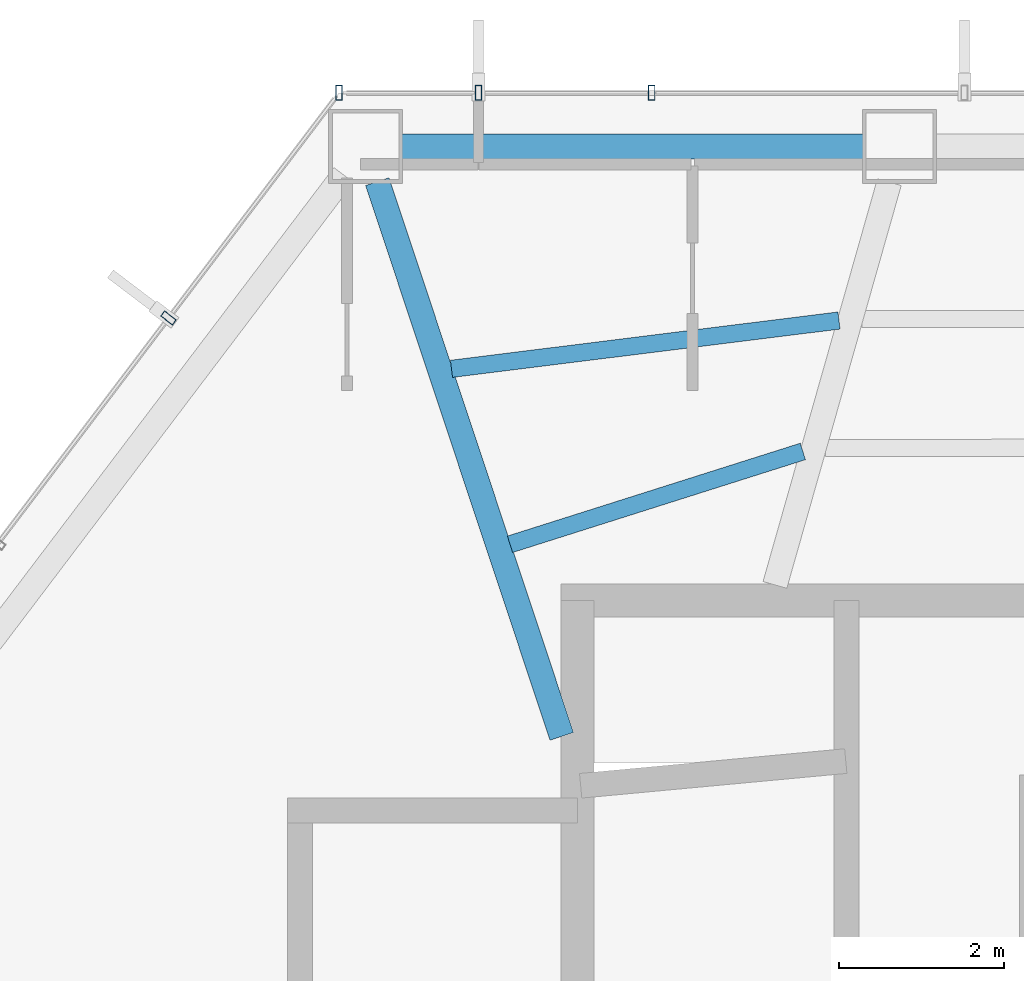
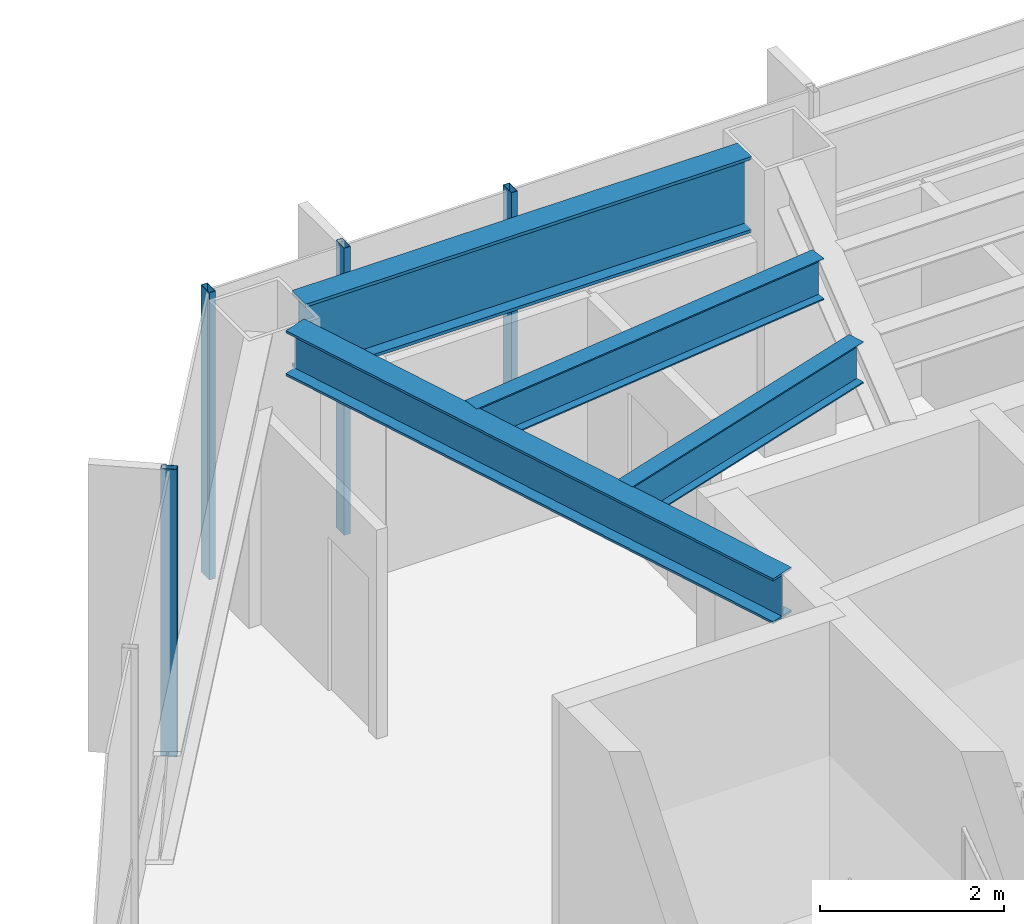
# One storey, part 11 of 25: 4 beams, 4 members, 2 elements without a shape of their own.
"""IFC4 building model written with IfcOpenShell, lengths in metres."""

import ifcopenshell
import ifcopenshell.guid

model = None  # the IFC model being written
_history = None  # IfcOwnerHistory: only IFC2X3 demands one
_inside = {}  # id of a spatial element -> (the spatial element, [elements in it])
_under = {}  # id of a project, library or spatial element -> (it, [spatial elements below it])
_declared = {}  # id of a project -> (the project, [libraries it declares])
_typed = {}  # id of a type object -> (the type object, [elements of that type])
_made_of = {}  # id of a material, layer set ... -> (it, [elements and type objects made of it])


def new_model(schema):
    """Start an empty IFC model of exactly this schema.

    Asked for "IFC4X3", IfcOpenShell would pick the latest addendum, in which some entities
    have other attributes; the version numbers below select the first issue.
    IFC2X3 requires an IfcOwnerHistory on every rooted entity: one is made here for all.
    """
    global model, _history
    if schema == "IFC4X3":
        model = ifcopenshell.file(schema_version=(4, 3, 0, 0))
    else:
        model = ifcopenshell.file(schema=schema)
    _inside.clear()
    _under.clear()
    _declared.clear()
    _typed.clear()
    _made_of.clear()
    _history = None
    if model.schema == "IFC2X3":
        org = make("IfcOrganization", Name="unknown")
        user = make(
            "IfcPersonAndOrganization",
            ThePerson=make("IfcPerson", FamilyName="unknown"),
            TheOrganization=org,
        )
        app = make(
            "IfcApplication",
            ApplicationDeveloper=org,
            Version="unknown",
            ApplicationFullName="unknown",
            ApplicationIdentifier="unknown",
        )
        _history = make(
            "IfcOwnerHistory",
            OwningUser=user,
            OwningApplication=app,
            ChangeAction="ADDED",
            CreationDate=0,
        )
    return model


def make(cls, **values):
    """One entity of the class cls with the attributes given. An attribute that is None is left unset."""
    return model.create_entity(
        cls, **{name: value for name, value in values.items() if value is not None}
    )


def rooted(cls, **values):
    """An entity with a GlobalId (a new one), such as an element, a storey or a relation."""
    return make(cls, GlobalId=ifcopenshell.guid.new(), OwnerHistory=_history, **values)


def si_unit(unit_type, name, prefix=None):
    """IfcSIUnit, for example si_unit("LENGTHUNIT", "METRE", prefix="MILLI")."""
    return make("IfcSIUnit", UnitType=unit_type, Prefix=prefix, Name=name)


def assignment(units):
    """IfcUnitAssignment: the units of a project."""
    return None if units is None else make("IfcUnitAssignment", Units=units)


def point(xyz):
    """IfcCartesianPoint."""
    return None if xyz is None else make("IfcCartesianPoint", Coordinates=xyz)


def direction(xyz):
    """IfcDirection."""
    return None if xyz is None else make("IfcDirection", DirectionRatios=xyz)


def frame(location, z_axis=None, x_axis=None):
    """IfcAxis2Placement3D, a coordinate frame: its origin and axes. An axis left out is left unset."""
    return make(
        "IfcAxis2Placement3D",
        Location=point(location),
        Axis=direction(z_axis),
        RefDirection=direction(x_axis),
    )


def frame_2d(location, x_axis=None):
    """IfcAxis2Placement2D, a coordinate frame in the plane: its origin and x axis."""
    return make(
        "IfcAxis2Placement2D", Location=point(location), RefDirection=direction(x_axis)
    )


def origin():
    """The frame at (0, 0, 0) with its axes left unset."""
    return frame((0.0, 0.0, 0.0))


def origin_2d():
    """The frame at (0, 0) in the plane with its x axis left unset."""
    return frame_2d((0.0, 0.0))


def place(relative_to, where):
    """IfcLocalPlacement: puts the frame where relative to a parent placement (None: the world)."""
    return make(
        "IfcLocalPlacement", PlacementRelTo=relative_to, RelativePlacement=where
    )


def context(
    kind, dimensions, precision=None, world=None, true_north=None, identifier=None
):
    """IfcGeometricRepresentationContext, for example the 3D "Model" context."""
    return make(
        "IfcGeometricRepresentationContext",
        ContextIdentifier=identifier,
        ContextType=kind,
        CoordinateSpaceDimension=dimensions,
        Precision=precision,
        WorldCoordinateSystem=world,
        TrueNorth=true_north,
    )


def subcontext(parent, identifier, kind, view, scale=None):
    """IfcGeometricRepresentationSubContext, for example "Body" below "Model"."""
    return make(
        "IfcGeometricRepresentationSubContext",
        ContextIdentifier=identifier,
        ContextType=kind,
        ParentContext=parent,
        TargetScale=scale,
        TargetView=view,
    )


def project(units=None, contexts=None):
    """IfcProject with its units and contexts."""
    return rooted(
        "IfcProject",
        Name="project",
        RepresentationContexts=contexts,
        UnitsInContext=assignment(units),
    )


def spatial(cls, under=None, at=None, **own):
    """A site, building, storey or space (cls), placed at a placement, below another one or the project."""
    s = rooted(cls, ObjectPlacement=at, **own)
    if under is not None:
        _under.setdefault(under.id(), (under, []))[1].append(s)
    return s


def profile(cls, at=None, kind="AREA", **sizes):
    """A parametric profile (cls). Its sizes go by their IFC names, for example OverallWidth=200.0."""
    return make(cls, ProfileType=kind, Position=at, **sizes)


def hollow_rectangle(**sizes):
    """IfcRectangleHollowProfileDef."""
    return profile("IfcRectangleHollowProfileDef", **sizes)


def i_section(**sizes):
    """IfcIShapeProfileDef."""
    return profile("IfcIShapeProfileDef", **sizes)


def extrude(swept, where, along, depth):
    """IfcExtrudedAreaSolid: the profile swept, set in the frame where, extruded along a direction by depth."""
    return make(
        "IfcExtrudedAreaSolid",
        SweptArea=swept,
        Position=where,
        ExtrudedDirection=direction(along),
        Depth=depth,
    )


def shape(context_of_items, identifier, shape_type, items):
    """IfcShapeRepresentation: the items that make up one representation, for example the "Body"."""
    return make(
        "IfcShapeRepresentation",
        ContextOfItems=context_of_items,
        RepresentationIdentifier=identifier,
        RepresentationType=shape_type,
        Items=items,
    )


def material(Name=None, Category=None):
    """IfcMaterial."""
    return make("IfcMaterial", Name=Name, Category=Category)


def layer(
    of_material, thickness, ventilated=None, Name=None, Category=None, Priority=None
):
    """IfcMaterialLayer: one layer of a wall or slab, of a material (None: an air gap)."""
    return make(
        "IfcMaterialLayer",
        Material=of_material,
        LayerThickness=thickness,
        IsVentilated=ventilated,
        Name=Name,
        Category=Category,
        Priority=Priority,
    )


def layer_set(layers, Name=None):
    """IfcMaterialLayerSet."""
    return make("IfcMaterialLayerSet", MaterialLayers=layers, LayerSetName=Name)


def material_profile(
    of_material, cross_section, Name=None, Category=None, Priority=None
):
    """IfcMaterialProfile: a cross section and its material."""
    return make(
        "IfcMaterialProfile",
        Name=Name,
        Material=of_material,
        Profile=cross_section,
        Priority=Priority,
        Category=Category,
    )


def profile_set(profiles, Name=None, composite=None):
    """IfcMaterialProfileSet."""
    return make(
        "IfcMaterialProfileSet",
        Name=Name,
        MaterialProfiles=profiles,
        CompositeProfile=composite,
    )


def made_of(thing, what):
    """Note that an element or type object is made of a material, layer set ...; save() writes the relation."""
    if what is not None:
        _made_of.setdefault(what.id(), (what, []))[1].append(thing)
    return thing


def type_object(cls, material=None, **own):
    """A type object (cls), such as IfcWallType, which elements share."""
    return made_of(rooted(cls, **own), material)


def element(
    cls,
    number,
    at=None,
    inside=None,
    cuts=None,
    type_object=None,
    material=None,
    context=None,
    identifier="Body",
    shape_type=None,
    held_by="IfcProductDefinitionShape",
    body=None,
    shapes=None,
    **own,
):
    """One element of the class cls, such as IfcWall. Its Tag is "e" and its number.

    at: its placement. inside: the storey or other place that contains it. cuts: it is an
    opening in that element (IfcRelVoidsElement). A single representation is given by context,
    identifier, shape_type and body (its items); several are given by shapes. held_by: the class
    of the entity that holds the representations. save() writes the other relations.
    """
    e = rooted(cls, Tag="e%d" % number, ObjectPlacement=at, **own)
    if body is not None:
        shapes = [shape(context, identifier, shape_type, body)]
    if shapes is not None:
        e.Representation = make(held_by, Representations=shapes)
    if inside is not None:
        _inside.setdefault(inside.id(), (inside, []))[1].append(e)
    if cuts is not None:
        rooted(
            "IfcRelVoidsElement", RelatingBuildingElement=cuts, RelatedOpeningElement=e
        )
    if type_object is not None:
        _typed.setdefault(type_object.id(), (type_object, []))[1].append(e)
    return made_of(e, material)


def aggregate(whole, parts):
    """IfcRelAggregates: a whole, such as a stair, and the parts it consists of."""
    return rooted("IfcRelAggregates", RelatingObject=whole, RelatedObjects=parts)


def save(model, path):
    """Write the relations noted so far, then the file.

    IfcRelAggregates (storeys below a building ...), IfcRelContainedInSpatialStructure (elements
    in a storey), IfcRelDefinesByType, IfcRelAssociatesMaterial and IfcRelDeclares: one each for
    every whole, place, type object, material and project.
    """
    for whole, parts in _under.values():
        aggregate(whole, parts)
    for where, things in _inside.values():
        rooted(
            "IfcRelContainedInSpatialStructure",
            RelatedElements=things,
            RelatingStructure=where,
        )
    for kind, things in _typed.values():
        rooted("IfcRelDefinesByType", RelatedObjects=things, RelatingType=kind)
    for what, things in _made_of.values():
        rooted("IfcRelAssociatesMaterial", RelatedObjects=things, RelatingMaterial=what)
    for by, libraries in _declared.values():
        rooted("IfcRelDeclares", RelatingContext=by, RelatedDefinitions=libraries)
    model.write(path)


model = new_model("IFC4")

# Units and contexts
model_context = context("Model", 3, precision=1e-05, world=origin(), true_north=direction((0.0, 1.0)))
body_context = subcontext(model_context, "Body", "Model", "MODEL_VIEW")
ifc_project = project(units=[si_unit("LENGTHUNIT", "METRE"), si_unit("AREAUNIT", "SQUARE_METRE"), si_unit("VOLUMEUNIT", "CUBIC_METRE"), si_unit("PLANEANGLEUNIT", "RADIAN"), si_unit("MASSUNIT", "GRAM", prefix="KILO")], contexts=[model_context])

# Site, building, storey
site_placement = place(None, origin())
site = spatial("IfcSite", under=ifc_project, at=site_placement, CompositionType="ELEMENT")
building_placement = place(site_placement, origin())
building = spatial("IfcBuilding", under=site, at=building_placement, Name="Zarrinselat Tower", CompositionType="ELEMENT")
storey_placement = place(building_placement, frame((0.0, 0.0, 84.659912109375)))
storey = spatial("IfcBuildingStorey", under=building, at=storey_placement, Name="L20", CompositionType="ELEMENT", Elevation=84.659912109375)

# Beams
ifc_material_1 = material(Name="Steel S355J2", Category="steel")
ifc_material_profile_1 = material_profile(ifc_material_1, i_section(OverallWidth=0.300048828125, OverallDepth=0.60009765625, WebThickness=0.015380859375, FlangeThickness=0.030029296875, at=origin_2d()), Name="HEB 600")
ifc_profile_set_1 = profile_set([ifc_material_profile_1], Name="Steel S355J2")
beam_type_1 = type_object("IfcBeamType", Name="BM-HEB600", PredefinedType="BEAM", material=ifc_profile_set_1)
beam_1_placement = place(storey_placement, frame((26.170166015625, 48.537841796875, 3.52001953125), z_axis=(0.315443690727, -0.948944296564, 0.0), x_axis=(0.948944296564, 0.315443690727, 0.0)))
element("IfcBeam", 1, at=beam_1_placement, inside=storey, type_object=beam_type_1, Name="L20 Radial Primary Girder RG05", PredefinedType="BEAM", context=body_context, shape_type="SweptSolid", body=[
    extrude(i_section(OverallWidth=0.300048828125, OverallDepth=0.60009765625, WebThickness=0.015380859375, FlangeThickness=0.030029296875, at=origin_2d()), origin(), (0.0, 0.0, 1.0), 7.100341796875),
])
ifc_material_2 = material(Name="Steel S460M", Category="steel")
ifc_material_profile_2 = material_profile(ifc_material_2, i_section(OverallWidth=0.302001953125, OverallDepth=1.008056640625, WebThickness=0.02099609375, FlangeThickness=0.0400390625, at=origin_2d()), Name="HEM 1000")
ifc_profile_set_2 = profile_set([ifc_material_profile_2], Name="Steel S460M")
beam_type_2 = type_object("IfcBeamType", Name="BM-HEM1000", PredefinedType="BEAM", material=ifc_profile_set_2)
beam_2_placement = place(storey_placement, frame((26.465576171875, 48.966796875, 3.316162109375), z_axis=(1.0, 0.0, 0.0), x_axis=(0.0, 1.0, 0.0)))
element("IfcBeam", 2, at=beam_2_placement, inside=storey, type_object=beam_type_2, Name="L20 Perimeter Spandrel Girder SP04", PredefinedType="BEAM", context=body_context, shape_type="SweptSolid", body=[
    extrude(i_section(OverallWidth=0.302001953125, OverallDepth=1.008056640625, WebThickness=0.02099609375, FlangeThickness=0.0400390625, at=origin_2d()), origin(), (0.0, 0.0, 1.0), 5.609130859375),
])
ifc_material_3 = material(Name="Steel S355J2", Category="steel")
ifc_material_profile_3 = material_profile(ifc_material_3, i_section(OverallWidth=0.2099609375, OverallDepth=0.550048828125, WebThickness=0.010986328125, FlangeThickness=0.01708984375, at=origin_2d()), Name="IPE 550")
ifc_profile_set_3 = profile_set([ifc_material_profile_3], Name="Steel S355J2")
beam_type_3 = type_object("IfcBeamType", Name="BM-IPE550", PredefinedType="JOIST", material=ifc_profile_set_3)
beam_3_placement = place(storey_placement, frame((27.070556640625, 46.264404296875, 3.545166015625), z_axis=(0.992316625644, 0.12372434874, 0.0), x_axis=(-0.12372434874, 0.992316625644, 0.0)))
element("IfcBeam", 3, at=beam_3_placement, inside=storey, type_object=beam_type_3, Name="L20 Composite Floor Joist 9-1", PredefinedType="JOIST", context=body_context, shape_type="SweptSolid", body=[
    extrude(i_section(OverallWidth=0.2099609375, OverallDepth=0.550048828125, WebThickness=0.010986328125, FlangeThickness=0.01708984375, at=origin_2d()), origin(), (0.0, 0.0, 1.0), 4.74365234375),
])
beam_4_placement = place(storey_placement, frame((27.781982421875, 44.13330078125, 3.545166015625), z_axis=(0.953238913259, 0.30221775965, 0.0), x_axis=(-0.30221775965, 0.953238913259, 0.0)))
element("IfcBeam", 4, at=beam_4_placement, inside=storey, type_object=beam_type_3, Name="L20 Composite Floor Joist 9-2", PredefinedType="JOIST", context=body_context, shape_type="SweptSolid", body=[
    extrude(i_section(OverallWidth=0.2099609375, OverallDepth=0.550048828125, WebThickness=0.010986328125, FlangeThickness=0.01708984375, at=origin_2d()), origin(), (0.0, 0.0, 1.0), 3.7314453125),
])

# Curtain wall, members
ifc_material_4 = material(Name="Extruded Aluminium Alloy EN AW-6063 T6", Category="aluminium")
ifc_layer = layer(ifc_material_4, 0.18505859375)
ifc_layer_set = layer_set([ifc_layer], Name="Extruded Aluminium Alloy EN AW-6063 T6")
curtain_wall_type = type_object("IfcCurtainWallType", Name="CWS-OFF", PredefinedType="NOTDEFINED", material=ifc_layer_set)
curtain_wall_1_placement = place(storey_placement, origin())
curtain_wall_1 = element("IfcCurtainWall", 5, at=curtain_wall_1_placement, inside=storey, type_object=curtain_wall_type, Name="L20 Unitised Curtain Wall CW-L20-E01", PredefinedType="NOTDEFINED")
ifc_material_5 = material(Name="Extruded Aluminium Alloy EN AW-6063 T6", Category="aluminium")
ifc_material_profile_4 = material_profile(ifc_material_5, hollow_rectangle(XDim=0.080078125, YDim=0.179931640625, WallThickness=0.0048828125, at=origin_2d()), Name="RHS 180x80x5")
ifc_profile_set_4 = profile_set([ifc_material_profile_4], Name="Extruded Aluminium Alloy EN AW-6063 T6")
member_type = type_object("IfcMemberType", Name="MEM-CW-MUL", PredefinedType="MULLION", material=ifc_profile_set_4)
member_1_placement = place(storey_placement, frame((29.502685546875, 49.61669921875, 0.0), z_axis=(0.0, 0.0, 1.0), x_axis=(-1.0, 0.0, 0.0)))
member_1 = element("IfcMember", 6, at=member_1_placement, type_object=member_type, Name="CW-L20-E01 Mullion 6", PredefinedType="MULLION", context=body_context, shape_type="SweptSolid", body=[
    extrude(hollow_rectangle(XDim=0.080078125, YDim=0.179931640625, WallThickness=0.0048828125, at=origin_2d()), origin(), (0.0, 0.0, 1.0), 3.820068359375),
])
member_2_placement = place(storey_placement, frame((27.39990234375, 49.61669921875, 0.0), z_axis=(0.0, 0.0, 1.0), x_axis=(-1.0, 0.0, 0.0)))
member_2 = element("IfcMember", 7, at=member_2_placement, type_object=member_type, Name="CW-L20-E01 Mullion 7", PredefinedType="MULLION", context=body_context, shape_type="SweptSolid", body=[
    extrude(hollow_rectangle(XDim=0.080078125, YDim=0.179931640625, WallThickness=0.0048828125, at=origin_2d()), origin(), (0.0, 0.0, 1.0), 3.820068359375),
])
member_3_placement = place(storey_placement, frame((25.70458984375, 49.61669921875, 0.0), z_axis=(0.0, 0.0, 1.0), x_axis=(-1.0, 0.0, 0.0)))
member_3 = element("IfcMember", 8, at=member_3_placement, type_object=member_type, Name="CW-L20-E01 Mullion 8", PredefinedType="MULLION", context=body_context, shape_type="SweptSolid", body=[
    extrude(hollow_rectangle(XDim=0.080078125, YDim=0.179931640625, WallThickness=0.0048828125, at=origin_2d()), origin(), (0.0, 0.0, 1.0), 3.820068359375),
])
aggregate(curtain_wall_1, [member_1, member_2, member_3])

# Curtain wall, member
curtain_wall_2_placement = place(storey_placement, origin())
curtain_wall_2 = element("IfcCurtainWall", 9, at=curtain_wall_2_placement, inside=storey, type_object=curtain_wall_type, Name="L20 Unitised Curtain Wall CW-L20-E02", PredefinedType="NOTDEFINED")
member_4_placement = place(storey_placement, frame((23.633056640625, 46.882568359375, 0.0), z_axis=(0.0, 0.0, 1.0), x_axis=(-0.603857014451, -0.797092658414, 0.0)))
member_4 = element("IfcMember", 10, at=member_4_placement, type_object=member_type, Name="CW-L20-E02 Mullion 1", PredefinedType="MULLION", context=body_context, shape_type="SweptSolid", body=[
    extrude(hollow_rectangle(XDim=0.080078125, YDim=0.179931640625, WallThickness=0.0048828125, at=origin_2d()), origin(), (0.0, 0.0, 1.0), 3.820068359375),
])
aggregate(curtain_wall_2, [member_4])

save(model, "model.ifc")
